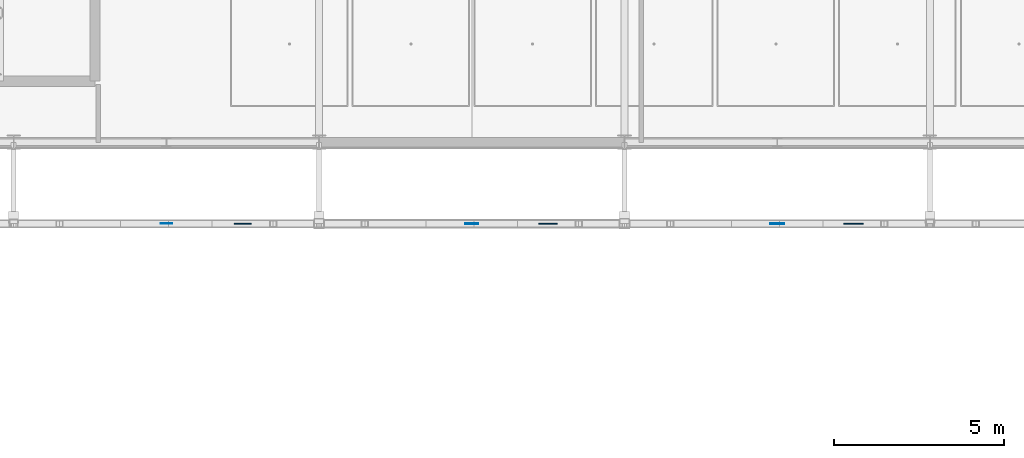
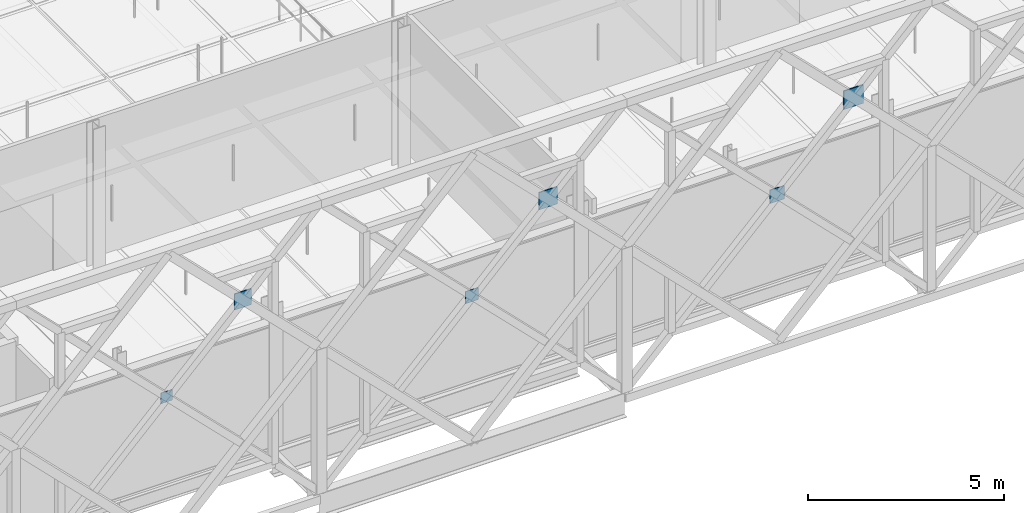
# One storey, part 81 of 140: 6 plates.
"""IFC4 building model written with IfcOpenShell, lengths in metres."""

from ifc_helpers import new_model, si_unit, direction, frame, origin, origin_2d, place, context, subcontext, project, spatial, rectangle, extrude, material, layer, layer_set, type_object, element, save


model = new_model("IFC4")

# Units and contexts
model_context = context("Model", 3, precision=1e-05, world=origin(), true_north=direction((0.0, 1.0)))
body_context = subcontext(model_context, "Body", "Model", "MODEL_VIEW")
ifc_project = project(units=[si_unit("LENGTHUNIT", "METRE"), si_unit("AREAUNIT", "SQUARE_METRE"), si_unit("VOLUMEUNIT", "CUBIC_METRE"), si_unit("PLANEANGLEUNIT", "RADIAN"), si_unit("MASSUNIT", "GRAM", prefix="KILO"), si_unit("THERMODYNAMICTEMPERATUREUNIT", "KELVIN"), si_unit("POWERUNIT", "WATT")], contexts=[model_context])

# Site, building, storey
site_placement = place(None, origin())
site = spatial("IfcSite", under=ifc_project, at=site_placement, CompositionType="ELEMENT")
building_placement = place(site_placement, origin())
building = spatial("IfcBuilding", under=site, at=building_placement, Name="Tallowbark Science Centre", CompositionType="ELEMENT")
storey_placement = place(building_placement, frame((0.0, 0.0, 9.89990234375)))
storey = spatial("IfcBuildingStorey", under=building, at=storey_placement, Name="L02", CompositionType="ELEMENT", Elevation=9.89990234375)

# Plates
ifc_material = material(Name="Structural Steel Grade 300PLUS (300 MPa)", Category="steel")
ifc_layer_1 = layer(ifc_material, 0.013916015625)
ifc_layer_set_1 = layer_set([ifc_layer_1], Name="Structural Steel Grade 300PLUS (300 MPa)")
plate_type_1 = type_object("IfcPlateType", Name="PLT-GUS-14", PredefinedType="SHEET", material=ifc_layer_set_1)
plate_1_placement = place(storey_placement, frame((72.0, 2.10009765625, 4.330078125), z_axis=(0.0, 0.0, 1.0), x_axis=(1.0, 0.0, 0.0)))
element("IfcPlate", 1, at=plate_1_placement, inside=storey, type_object=plate_type_1, Name="Star X-Brace Crossing Gusset Plate S-19", PredefinedType="SHEET", context=body_context, shape_type="SweptSolid", body=[
    extrude(rectangle(XDim=0.340087890625, YDim=0.013916015625, at=origin_2d()), origin(), (0.0, 0.0, 1.0), 0.340087890625),
])
ifc_layer_2 = layer(ifc_material, 0.01806640625)
ifc_layer_set_2 = layer_set([ifc_layer_2], Name="Structural Steel Grade 300PLUS (300 MPa)")
plate_type_2 = type_object("IfcPlateType", Name="PLT-GUS-18", PredefinedType="SHEET", material=ifc_layer_set_2)
plate_2_placement = place(storey_placement, frame((81.0, 2.10009765625, 4.31005859375), z_axis=(0.0, 0.0, 1.0), x_axis=(1.0, 0.0, 0.0)))
element("IfcPlate", 2, at=plate_2_placement, inside=storey, type_object=plate_type_2, Name="Star X-Brace Crossing Gusset Plate S-21", PredefinedType="SHEET", context=body_context, shape_type="SweptSolid", body=[
    extrude(rectangle(XDim=0.3798828125, YDim=0.01806640625, at=origin_2d()), origin(), (0.0, 0.0, 1.0), 0.3798828125),
])
ifc_layer_3 = layer(ifc_material, 0.02197265625)
ifc_layer_set_3 = layer_set([ifc_layer_3], Name="Structural Steel Grade 300PLUS (300 MPa)")
plate_type_3 = type_object("IfcPlateType", Name="PLT-GUS-22", PredefinedType="SHEET", material=ifc_layer_set_3)
plate_3_placement = place(storey_placement, frame((90.0, 2.10009765625, 4.2900390625), z_axis=(0.0, 0.0, 1.0), x_axis=(1.0, 0.0, 0.0)))
element("IfcPlate", 3, at=plate_3_placement, inside=storey, type_object=plate_type_3, Name="Star X-Brace Crossing Gusset Plate S-23", PredefinedType="SHEET", context=body_context, shape_type="SweptSolid", body=[
    extrude(rectangle(XDim=0.419921875, YDim=0.02197265625, at=origin_2d()), origin(), (0.0, 0.0, 1.0), 0.419921875),
])
ifc_layer_4 = layer(ifc_material, 0.030029296875)
ifc_layer_set_4 = layer_set([ifc_layer_4], Name="Structural Steel Grade 300PLUS (300 MPa)")
plate_type_4 = type_object("IfcPlateType", Name="PLT-GUS-30", PredefinedType="SHEET", material=ifc_layer_set_4)
plate_4_placement = place(storey_placement, frame((74.25, 2.10009765625, 6.5), z_axis=(0.0, 0.0, 1.0), x_axis=(1.0, 0.0, 0.0)))
element("IfcPlate", 4, at=plate_4_placement, inside=storey, type_object=plate_type_4, Name="Star Primary Chord Crossing Gusset Plate S-19", PredefinedType="SHEET", context=body_context, shape_type="SweptSolid", body=[
    extrude(rectangle(XDim=0.5, YDim=0.030029296875, at=origin_2d()), origin(), (0.0, 0.0, 1.0), 0.5),
])
ifc_layer_5 = layer(ifc_material, 0.033935546875)
ifc_layer_set_5 = layer_set([ifc_layer_5], Name="Structural Steel Grade 300PLUS (300 MPa)")
plate_type_5 = type_object("IfcPlateType", Name="PLT-GUS-34", PredefinedType="SHEET", material=ifc_layer_set_5)
plate_5_placement = place(storey_placement, frame((83.25, 2.10009765625, 6.47998046875), z_axis=(0.0, 0.0, 1.0), x_axis=(1.0, 0.0, 0.0)))
element("IfcPlate", 5, at=plate_5_placement, inside=storey, type_object=plate_type_5, Name="Star Primary Chord Crossing Gusset Plate S-21", PredefinedType="SHEET", context=body_context, shape_type="SweptSolid", body=[
    extrude(rectangle(XDim=0.5400390625, YDim=0.033935546875, at=origin_2d()), origin(), (0.0, 0.0, 1.0), 0.5400390625),
])
ifc_layer_6 = layer(ifc_material, 0.0380859375)
ifc_layer_set_6 = layer_set([ifc_layer_6], Name="Structural Steel Grade 300PLUS (300 MPa)")
plate_type_6 = type_object("IfcPlateType", Name="PLT-GUS-38", PredefinedType="SHEET", material=ifc_layer_set_6)
plate_6_placement = place(storey_placement, frame((92.25, 2.10009765625, 6.4599609375), z_axis=(0.0, 0.0, 1.0), x_axis=(1.0, 0.0, 0.0)))
element("IfcPlate", 6, at=plate_6_placement, inside=storey, type_object=plate_type_6, Name="Star Primary Chord Crossing Gusset Plate S-23", PredefinedType="SHEET", context=body_context, shape_type="SweptSolid", body=[
    extrude(rectangle(XDim=0.580078125, YDim=0.0380859375, at=origin_2d()), origin(), (0.0, 0.0, 1.0), 0.580078125),
])

save(model, "model.ifc")
